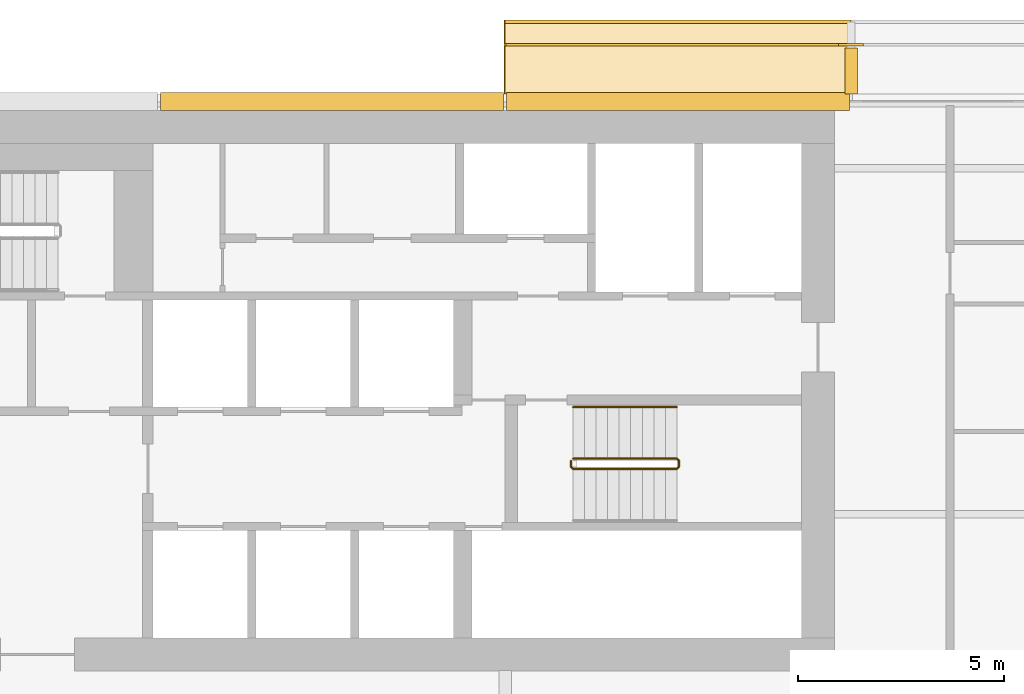
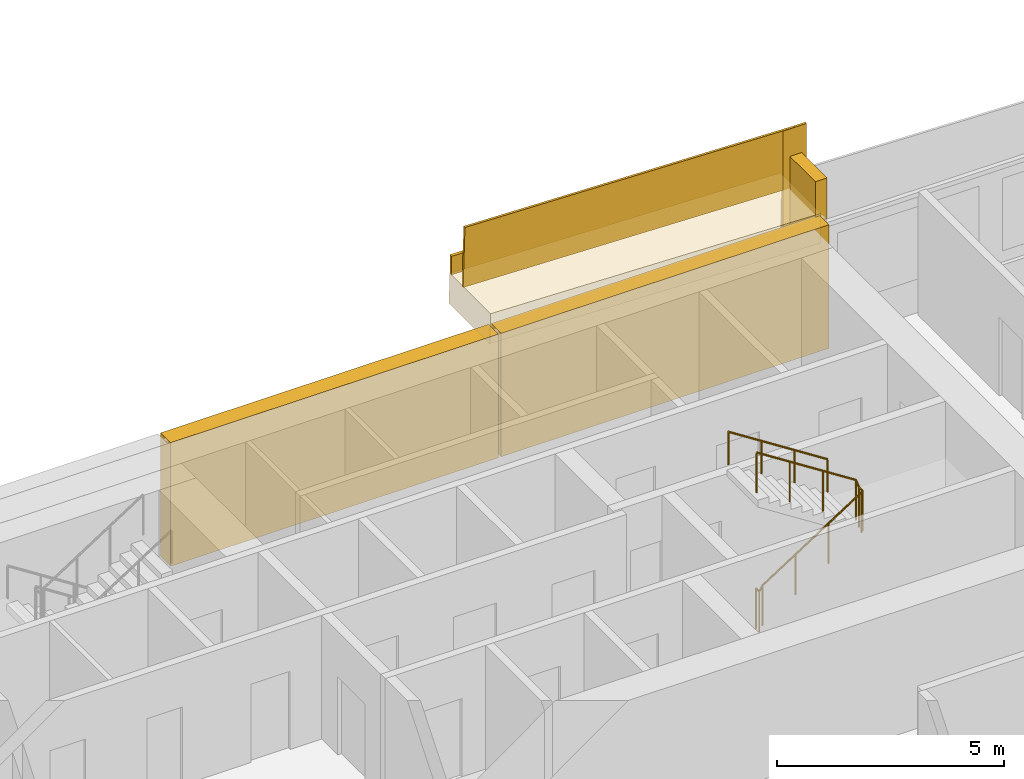
# One storey, part 29 of 31: 5 coverings, 4 railings.
"""IFC4 building model written with IfcOpenShell, lengths in metres."""

from ifc_helpers import new_model, si_unit, direction, frame, origin, origin_2d, place, context, subcontext, project, spatial, polyline, rectangle, circle, outline, extrude, material, layer, layer_set, type_object, element, save


model = new_model("IFC4")

# Units and contexts
model_context = context("Model", 3, precision=1e-05, world=origin(), true_north=direction((0.0, 1.0)))
body_context = subcontext(model_context, "Body", "Model", "MODEL_VIEW")
ifc_project = project(units=[si_unit("LENGTHUNIT", "METRE"), si_unit("AREAUNIT", "SQUARE_METRE"), si_unit("VOLUMEUNIT", "CUBIC_METRE"), si_unit("PLANEANGLEUNIT", "RADIAN"), si_unit("MASSUNIT", "GRAM", prefix="KILO")], contexts=[model_context])

# Site, building, storey
site_placement = place(None, origin())
site = spatial("IfcSite", under=ifc_project, at=site_placement, CompositionType="ELEMENT")
building_placement = place(site_placement, origin())
building = spatial("IfcBuilding", under=site, at=building_placement, Name="Saffron Gate Tower", CompositionType="ELEMENT")
storey_placement = place(building_placement, frame((0.0, 0.0, 147.449951171875)))
storey = spatial("IfcBuildingStorey", under=building, at=storey_placement, Name="L35", CompositionType="ELEMENT", Elevation=147.449951171875)

# Coverings
ifc_material_1 = material(Name="Ceramic-printed bronze insulated panel")
ifc_layer_1 = layer(ifc_material_1, 0.43994140625)
ifc_layer_set_1 = layer_set([ifc_layer_1], Name="CLD3 ceramic-printed cladding panel 440")
covering_type_1 = type_object("IfcCoveringType", Name="CLD3 ceramic-printed cladding panel 440", PredefinedType="CLADDING", material=ifc_layer_set_1)
covering_1_placement = place(storey_placement, origin())
element("IfcCovering", 1, at=covering_1_placement, inside=storey, type_object=covering_type_1, Name="CLADDING ceramic-printed panel", PredefinedType="CLADDING", context=body_context, shape_type="SweptSolid", body=[
    extrude(outline(polyline([(108.56494140625, 75.639892578125), (100.235107421875, 75.639892578125), (100.235107421875, 75.199951171875), (108.56494140625, 75.199951171875), (108.56494140625, 75.639892578125)])), origin(), (0.0, 0.0, 1.0), 3.320068359375),
])
covering_2_placement = place(storey_placement, origin())
element("IfcCovering", 2, at=covering_2_placement, inside=storey, type_object=covering_type_1, Name="CLADDING ceramic-printed panel", PredefinedType="CLADDING", context=body_context, shape_type="SweptSolid", body=[
    extrude(outline(polyline([(100.1650390625, 75.639892578125), (91.8349609375, 75.639892578125), (91.8349609375, 75.199951171875), (100.1650390625, 75.199951171875), (100.1650390625, 75.639892578125)])), origin(), (0.0, 0.0, 1.0), 3.320068359375),
])

# Railings
ifc_material_2 = material(Name="Stainless steel and laminated glass", Category="steel")
railing_type_1 = type_object("IfcRailingType", Name="CR1 Stair guard 1100", PredefinedType="GUARDRAIL", material=ifc_material_2)
railing_1_placement = place(storey_placement, frame((101.800048828125, 66.699951171875, 0.0)))
element("IfcRailing", 3, at=railing_1_placement, inside=storey, type_object=railing_type_1, Name="L35 ST-B stair guard 1", PredefinedType="GUARDRAIL", context=body_context, shape_type="SweptSolid", body=[
    extrude(circle(Radius=0.02392578125, at=origin_2d()), frame((0.0, 0.0, 1.076171875), z_axis=(0.0, -1.0, 0.0), x_axis=(1.0, 0.0, 0.0)), (0.0, 0.0, 1.0), 0.14990234375),
    extrude(circle(Radius=0.02392578125, at=origin_2d()), frame((0.0, -0.14990234375, 1.076171875), z_axis=(0.258847668887, -0.258847668887, 0.930588936439), x_axis=(0.707106781187, 0.707106781187, 0.0)), (0.0, 0.0, 1.0), 0.193359375),
    extrude(circle(Radius=0.02392578125, at=origin_2d()), frame((0.050048828125, -0.199951171875, 1.255859375), z_axis=(0.841162588446, 0.0, 0.540782303519), x_axis=(0.0, 1.0, 0.0)), (0.0, 0.0, 1.0), 2.995849609375),
    extrude(circle(Radius=0.02392578125, at=origin_2d()), frame((2.570068359375, -0.199951171875, 2.8759765625), z_axis=(0.705375805398, 0.708833529934, 0.0), x_axis=(-0.708833529934, 0.705375805398, 0.0)), (0.0, 0.0, 1.0), 0.070556640625),
    extrude(circle(Radius=0.02392578125, at=origin_2d()), frame((2.619873046875, -0.14990234375, 2.8759765625), z_axis=(0.0, 1.0, 0.0), x_axis=(-1.0, 0.0, 0.0)), (0.0, 0.0, 1.0), 0.14990234375),
    extrude(circle(Radius=0.02392578125, at=origin_2d()), frame((2.619873046875, 0.0, 2.8759765625), z_axis=(-0.257669022063, 0.258932105505, 0.930892496375), x_axis=(-0.708833529934, -0.705375805398, 0.0)), (0.0, 0.0, 1.0), 0.193359375),
    extrude(circle(Radius=0.02392578125, at=origin_2d()), frame((2.570068359375, 0.050048828125, 3.05615234375), z_axis=(-0.841162588446, 0.0, 0.540782303519), x_axis=(0.0, -1.0, 0.0)), (0.0, 0.0, 1.0), 2.995849609375),
    extrude(circle(Radius=0.02099609375, at=origin_2d()), origin(), (0.0, 0.0, 1.0), 1.052001953125),
    extrude(circle(Radius=0.02099609375, at=origin_2d()), frame((0.0, -0.14990234375, 0.0)), (0.0, 0.0, 1.0), 1.052001953125),
    extrude(circle(Radius=0.02099609375, at=origin_2d()), frame((0.050048828125, -0.199951171875, 0.179931640625)), (0.0, 0.0, 1.0), 1.052001953125),
    extrude(circle(Radius=0.02099609375, at=origin_2d()), frame((0.89013671875, -0.199951171875, 0.719970703125)), (0.0, 0.0, 1.0), 1.052001953125),
    extrude(circle(Radius=0.02099609375, at=origin_2d()), frame((1.72998046875, -0.199951171875, 1.260009765625)), (0.0, 0.0, 1.0), 1.052001953125),
    extrude(circle(Radius=0.02099609375, at=origin_2d()), frame((2.570068359375, -0.199951171875, 1.800048828125)), (0.0, 0.0, 1.0), 1.052001953125),
    extrude(circle(Radius=0.02099609375, at=origin_2d()), frame((2.619873046875, -0.14990234375, 1.800048828125)), (0.0, 0.0, 1.0), 1.052001953125),
    extrude(circle(Radius=0.02099609375, at=origin_2d()), frame((2.619873046875, 0.0, 1.800048828125)), (0.0, 0.0, 1.0), 1.052001953125),
    extrude(circle(Radius=0.02099609375, at=origin_2d()), frame((2.570068359375, 0.050048828125, 1.97998046875)), (0.0, 0.0, 1.0), 1.052001953125),
    extrude(circle(Radius=0.02099609375, at=origin_2d()), frame((1.72998046875, 0.050048828125, 2.52001953125)), (0.0, 0.0, 1.0), 1.052001953125),
    extrude(circle(Radius=0.02099609375, at=origin_2d()), frame((0.89013671875, 0.050048828125, 3.06005859375)), (0.0, 0.0, 1.0), 1.052001953125),
    extrude(circle(Radius=0.02099609375, at=origin_2d()), frame((0.050048828125, 0.050048828125, 3.60009765625)), (0.0, 0.0, 1.0), 1.052001953125),
])
ifc_material_3 = material(Name="Stainless steel", Category="steel")
railing_type_2 = type_object("IfcRailingType", Name="CR2 Stair handrail 900", PredefinedType="HANDRAIL", material=ifc_material_3)
railing_2_placement = place(storey_placement, frame((104.3701171875, 68.0, 1.97998046875)))
element("IfcRailing", 4, at=railing_2_placement, inside=storey, type_object=railing_type_2, Name="L35 ST-B stair handrail 2", PredefinedType="HANDRAIL", context=body_context, shape_type="SweptSolid", body=[
    extrude(circle(Radius=0.02392578125, at=origin_2d()), frame((0.0, 0.0, 0.8759765625), z_axis=(-0.841162588446, 0.0, 0.540782303519), x_axis=(0.0, -1.0, 0.0)), (0.0, 0.0, 1.0), 2.995849609375),
    extrude(circle(Radius=0.02099609375, at=origin_2d()), origin(), (0.0, 0.0, 1.0), 0.851806640625),
    extrude(circle(Radius=0.02099609375, at=origin_2d()), frame((-0.840087890625, 0.0, 0.5400390625)), (0.0, 0.0, 1.0), 0.851806640625),
    extrude(circle(Radius=0.02099609375, at=origin_2d()), frame((-1.679931640625, 0.0, 1.080078125)), (0.0, 0.0, 1.0), 0.851806640625),
    extrude(circle(Radius=0.02099609375, at=origin_2d()), frame((-2.52001953125, 0.0, 1.6201171875)), (0.0, 0.0, 1.0), 0.851806640625),
])

# Coverings
ifc_material_4 = material(Name="Timber, thermally modified ash", Category="wood")
ifc_layer_2 = layer(ifc_material_4, 0.800048828125)
ifc_layer_set_2 = layer_set([ifc_layer_2], Name="LD1 ledge timber")
covering_type_2 = type_object("IfcCoveringType", Name="LD1 ledge timber", PredefinedType="CLADDING", material=ifc_layer_set_2)
covering_3_placement = place(storey_placement, frame((108.60009765625, 75.60009765625, 3.37255859375), z_axis=(0.028790339263, 0.0, 0.999585472266), x_axis=(-0.999585472266, 0.0, 0.028790339263)))
element("IfcCovering", 5, at=covering_3_placement, inside=storey, type_object=covering_type_2, Name="LEDGE", PredefinedType="CLADDING", context=body_context, shape_type="SweptSolid", body=[
    extrude(outline(polyline([(0.0, 0.0), (8.403630022085892, 0.0), (8.403630022085892, -1.7998046875), (0.0, -1.7998046875), (0.0, 0.0)])), origin(), (0.0, 0.0, -1.0), 0.800048828125),
])
ifc_layer_3 = layer(ifc_material_4, 0.080078125)
ifc_layer_set_3 = layer_set([ifc_layer_3], Name="LD2 ledge planter trough")
covering_type_3 = type_object("IfcCoveringType", Name="LD2 ledge planter trough", PredefinedType="CLADDING", material=ifc_layer_set_3)
covering_4_placement = place(storey_placement, frame((108.60009765625, 77.39990234375, 3.37255859375), z_axis=(0.0, 1.0, 0.0), x_axis=(-0.999585472266, 0.0, 0.028790339263)))
element("IfcCovering", 6, at=covering_4_placement, inside=storey, type_object=covering_type_3, Name="LEDGE planter trough", PredefinedType="CLADDING", context=body_context, shape_type="SweptSolid", body=[
    extrude(outline(polyline([(0.0, 0.0), (8.403630022085892, 0.0), (8.418025191717298, 0.4997927361329725), (0.014395169631405694, 0.4997927361329725), (0.0, 0.0)])), origin(), (0.0, 0.0, -1.0), 0.080078125),
])
ifc_layer_4 = layer(ifc_material_4, 0.300048828125)
ifc_layer_set_4 = layer_set([ifc_layer_4], Name="LD3 ledge riser fin")
covering_type_4 = type_object("IfcCoveringType", Name="LD3 ledge riser fin", PredefinedType="CLADDING", material=ifc_layer_set_4)
covering_5_placement = place(storey_placement, frame((108.60009765625, 76.159912109375, 1.372314453125), z_axis=(0.0, 0.0, 1.0), x_axis=(-1.0, 0.0, 0.0)))
element("IfcCovering", 7, at=covering_5_placement, inside=storey, type_object=covering_type_4, Name="LEDGE riser fin", PredefinedType="CLADDING", context=body_context, shape_type="SweptSolid", body=[
    extrude(rectangle(XDim=0.300048828125, YDim=1.1201171875, at=origin_2d()), origin(), (0.0, 0.0, 1.0), 2.900390625),
])

# Railings
railing_type_3 = type_object("IfcRailingType", Name="LG1 ledge balustrade", PredefinedType="BALUSTRADE", material=ifc_material_4)
railing_3_placement = place(storey_placement, frame((108.60009765625, 76.800048828125, 3.37255859375)))
element("IfcRailing", 8, at=railing_3_placement, inside=storey, type_object=railing_type_3, Name="LEDGE BALUSTRADE", PredefinedType="BALUSTRADE", context=body_context, shape_type="SweptSolid", body=[
    extrude(rectangle(XDim=0.06005859375, YDim=1.60009765625, at=origin_2d()), frame((0.0, 0.0, 0.800048828125), z_axis=(-0.999585472266, 0.0, 0.028790339263), x_axis=(0.0, -1.0, 0.0)), (0.0, 0.0, 1.0), 8.403564453125),
])
railing_4_placement = place(storey_placement, frame((108.89990234375, 76.800048828125, 2.17236328125)))
element("IfcRailing", 9, at=railing_4_placement, inside=storey, type_object=railing_type_3, Name="LEDGE BALUSTRADE", PredefinedType="BALUSTRADE", context=body_context, shape_type="SweptSolid", body=[
    extrude(rectangle(XDim=0.06005859375, YDim=2.80029296875, at=origin_2d()), frame((0.0, 0.0, 1.400146484375), z_axis=(-1.0, 0.0, 0.0), x_axis=(0.0, -1.0, 0.0)), (0.0, 0.0, 1.0), 0.599853515625),
])

save(model, "model.ifc")
